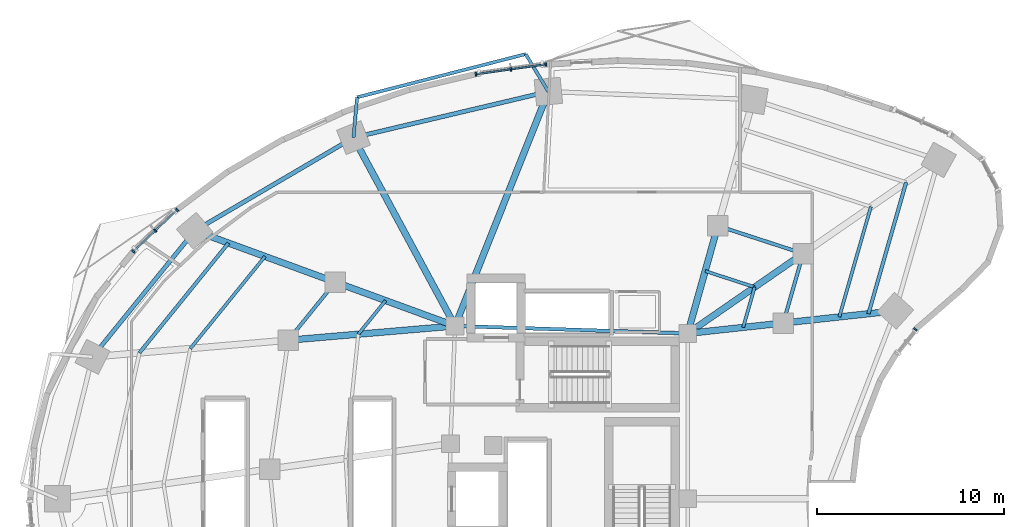
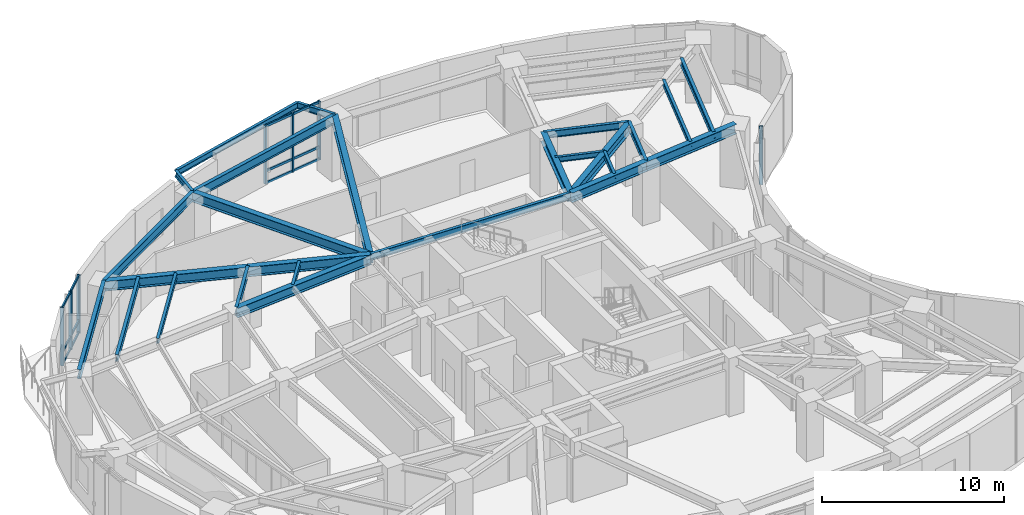
# One storey, part 5 of 14: 26 beams, 19 members, 3 elements without a shape of their own.
"""IFC4 building model written with IfcOpenShell, lengths in metres."""

import ifcopenshell
import ifcopenshell.guid

model = None  # the IFC model being written
_history = None  # IfcOwnerHistory: only IFC2X3 demands one
_inside = {}  # id of a spatial element -> (the spatial element, [elements in it])
_under = {}  # id of a project, library or spatial element -> (it, [spatial elements below it])
_declared = {}  # id of a project -> (the project, [libraries it declares])
_typed = {}  # id of a type object -> (the type object, [elements of that type])
_made_of = {}  # id of a material, layer set ... -> (it, [elements and type objects made of it])


def new_model(schema):
    """Start an empty IFC model of exactly this schema.

    Asked for "IFC4X3", IfcOpenShell would pick the latest addendum, in which some entities
    have other attributes; the version numbers below select the first issue.
    IFC2X3 requires an IfcOwnerHistory on every rooted entity: one is made here for all.
    """
    global model, _history
    if schema == "IFC4X3":
        model = ifcopenshell.file(schema_version=(4, 3, 0, 0))
    else:
        model = ifcopenshell.file(schema=schema)
    _inside.clear()
    _under.clear()
    _declared.clear()
    _typed.clear()
    _made_of.clear()
    _history = None
    if model.schema == "IFC2X3":
        org = make("IfcOrganization", Name="unknown")
        user = make(
            "IfcPersonAndOrganization",
            ThePerson=make("IfcPerson", FamilyName="unknown"),
            TheOrganization=org,
        )
        app = make(
            "IfcApplication",
            ApplicationDeveloper=org,
            Version="unknown",
            ApplicationFullName="unknown",
            ApplicationIdentifier="unknown",
        )
        _history = make(
            "IfcOwnerHistory",
            OwningUser=user,
            OwningApplication=app,
            ChangeAction="ADDED",
            CreationDate=0,
        )
    return model


def make(cls, **values):
    """One entity of the class cls with the attributes given. An attribute that is None is left unset."""
    return model.create_entity(
        cls, **{name: value for name, value in values.items() if value is not None}
    )


def rooted(cls, **values):
    """An entity with a GlobalId (a new one), such as an element, a storey or a relation."""
    return make(cls, GlobalId=ifcopenshell.guid.new(), OwnerHistory=_history, **values)


def si_unit(unit_type, name, prefix=None):
    """IfcSIUnit, for example si_unit("LENGTHUNIT", "METRE", prefix="MILLI")."""
    return make("IfcSIUnit", UnitType=unit_type, Prefix=prefix, Name=name)


def assignment(units):
    """IfcUnitAssignment: the units of a project."""
    return None if units is None else make("IfcUnitAssignment", Units=units)


def point(xyz):
    """IfcCartesianPoint."""
    return None if xyz is None else make("IfcCartesianPoint", Coordinates=xyz)


def direction(xyz):
    """IfcDirection."""
    return None if xyz is None else make("IfcDirection", DirectionRatios=xyz)


def frame(location, z_axis=None, x_axis=None):
    """IfcAxis2Placement3D, a coordinate frame: its origin and axes. An axis left out is left unset."""
    return make(
        "IfcAxis2Placement3D",
        Location=point(location),
        Axis=direction(z_axis),
        RefDirection=direction(x_axis),
    )


def frame_2d(location, x_axis=None):
    """IfcAxis2Placement2D, a coordinate frame in the plane: its origin and x axis."""
    return make(
        "IfcAxis2Placement2D", Location=point(location), RefDirection=direction(x_axis)
    )


def origin():
    """The frame at (0, 0, 0) with its axes left unset."""
    return frame((0.0, 0.0, 0.0))


def origin_2d():
    """The frame at (0, 0) in the plane with its x axis left unset."""
    return frame_2d((0.0, 0.0))


def place(relative_to, where):
    """IfcLocalPlacement: puts the frame where relative to a parent placement (None: the world)."""
    return make(
        "IfcLocalPlacement", PlacementRelTo=relative_to, RelativePlacement=where
    )


def context(
    kind, dimensions, precision=None, world=None, true_north=None, identifier=None
):
    """IfcGeometricRepresentationContext, for example the 3D "Model" context."""
    return make(
        "IfcGeometricRepresentationContext",
        ContextIdentifier=identifier,
        ContextType=kind,
        CoordinateSpaceDimension=dimensions,
        Precision=precision,
        WorldCoordinateSystem=world,
        TrueNorth=true_north,
    )


def subcontext(parent, identifier, kind, view, scale=None):
    """IfcGeometricRepresentationSubContext, for example "Body" below "Model"."""
    return make(
        "IfcGeometricRepresentationSubContext",
        ContextIdentifier=identifier,
        ContextType=kind,
        ParentContext=parent,
        TargetScale=scale,
        TargetView=view,
    )


def project(units=None, contexts=None):
    """IfcProject with its units and contexts."""
    return rooted(
        "IfcProject",
        Name="project",
        RepresentationContexts=contexts,
        UnitsInContext=assignment(units),
    )


def spatial(cls, under=None, at=None, **own):
    """A site, building, storey or space (cls), placed at a placement, below another one or the project."""
    s = rooted(cls, ObjectPlacement=at, **own)
    if under is not None:
        _under.setdefault(under.id(), (under, []))[1].append(s)
    return s


def profile(cls, at=None, kind="AREA", **sizes):
    """A parametric profile (cls). Its sizes go by their IFC names, for example OverallWidth=200.0."""
    return make(cls, ProfileType=kind, Position=at, **sizes)


def rectangle(**sizes):
    """IfcRectangleProfileDef."""
    return profile("IfcRectangleProfileDef", **sizes)


def i_section(**sizes):
    """IfcIShapeProfileDef."""
    return profile("IfcIShapeProfileDef", **sizes)


def extrude(swept, where, along, depth):
    """IfcExtrudedAreaSolid: the profile swept, set in the frame where, extruded along a direction by depth."""
    return make(
        "IfcExtrudedAreaSolid",
        SweptArea=swept,
        Position=where,
        ExtrudedDirection=direction(along),
        Depth=depth,
    )


def shape(context_of_items, identifier, shape_type, items):
    """IfcShapeRepresentation: the items that make up one representation, for example the "Body"."""
    return make(
        "IfcShapeRepresentation",
        ContextOfItems=context_of_items,
        RepresentationIdentifier=identifier,
        RepresentationType=shape_type,
        Items=items,
    )


def material(Name=None, Category=None):
    """IfcMaterial."""
    return make("IfcMaterial", Name=Name, Category=Category)


def layer(
    of_material, thickness, ventilated=None, Name=None, Category=None, Priority=None
):
    """IfcMaterialLayer: one layer of a wall or slab, of a material (None: an air gap)."""
    return make(
        "IfcMaterialLayer",
        Material=of_material,
        LayerThickness=thickness,
        IsVentilated=ventilated,
        Name=Name,
        Category=Category,
        Priority=Priority,
    )


def layer_set(layers, Name=None):
    """IfcMaterialLayerSet."""
    return make("IfcMaterialLayerSet", MaterialLayers=layers, LayerSetName=Name)


def material_profile(
    of_material, cross_section, Name=None, Category=None, Priority=None
):
    """IfcMaterialProfile: a cross section and its material."""
    return make(
        "IfcMaterialProfile",
        Name=Name,
        Material=of_material,
        Profile=cross_section,
        Priority=Priority,
        Category=Category,
    )


def profile_set(profiles, Name=None, composite=None):
    """IfcMaterialProfileSet."""
    return make(
        "IfcMaterialProfileSet",
        Name=Name,
        MaterialProfiles=profiles,
        CompositeProfile=composite,
    )


def made_of(thing, what):
    """Note that an element or type object is made of a material, layer set ...; save() writes the relation."""
    if what is not None:
        _made_of.setdefault(what.id(), (what, []))[1].append(thing)
    return thing


def type_object(cls, material=None, **own):
    """A type object (cls), such as IfcWallType, which elements share."""
    return made_of(rooted(cls, **own), material)


def element(
    cls,
    number,
    at=None,
    inside=None,
    cuts=None,
    type_object=None,
    material=None,
    context=None,
    identifier="Body",
    shape_type=None,
    held_by="IfcProductDefinitionShape",
    body=None,
    shapes=None,
    **own,
):
    """One element of the class cls, such as IfcWall. Its Tag is "e" and its number.

    at: its placement. inside: the storey or other place that contains it. cuts: it is an
    opening in that element (IfcRelVoidsElement). A single representation is given by context,
    identifier, shape_type and body (its items); several are given by shapes. held_by: the class
    of the entity that holds the representations. save() writes the other relations.
    """
    e = rooted(cls, Tag="e%d" % number, ObjectPlacement=at, **own)
    if body is not None:
        shapes = [shape(context, identifier, shape_type, body)]
    if shapes is not None:
        e.Representation = make(held_by, Representations=shapes)
    if inside is not None:
        _inside.setdefault(inside.id(), (inside, []))[1].append(e)
    if cuts is not None:
        rooted(
            "IfcRelVoidsElement", RelatingBuildingElement=cuts, RelatedOpeningElement=e
        )
    if type_object is not None:
        _typed.setdefault(type_object.id(), (type_object, []))[1].append(e)
    return made_of(e, material)


def aggregate(whole, parts):
    """IfcRelAggregates: a whole, such as a stair, and the parts it consists of."""
    return rooted("IfcRelAggregates", RelatingObject=whole, RelatedObjects=parts)


def save(model, path):
    """Write the relations noted so far, then the file.

    IfcRelAggregates (storeys below a building ...), IfcRelContainedInSpatialStructure (elements
    in a storey), IfcRelDefinesByType, IfcRelAssociatesMaterial and IfcRelDeclares: one each for
    every whole, place, type object, material and project.
    """
    for whole, parts in _under.values():
        aggregate(whole, parts)
    for where, things in _inside.values():
        rooted(
            "IfcRelContainedInSpatialStructure",
            RelatedElements=things,
            RelatingStructure=where,
        )
    for kind, things in _typed.values():
        rooted("IfcRelDefinesByType", RelatedObjects=things, RelatingType=kind)
    for what, things in _made_of.values():
        rooted("IfcRelAssociatesMaterial", RelatedObjects=things, RelatingMaterial=what)
    for by, libraries in _declared.values():
        rooted("IfcRelDeclares", RelatingContext=by, RelatedDefinitions=libraries)
    model.write(path)


model = new_model("IFC4")

# Units and contexts
model_context = context("Model", 3, precision=1e-05, world=origin(), true_north=direction((0.0, 1.0)))
body_context = subcontext(model_context, "Body", "Model", "MODEL_VIEW")
ifc_project = project(units=[si_unit("LENGTHUNIT", "METRE"), si_unit("AREAUNIT", "SQUARE_METRE"), si_unit("VOLUMEUNIT", "CUBIC_METRE"), si_unit("PLANEANGLEUNIT", "RADIAN"), si_unit("MASSUNIT", "GRAM", prefix="KILO")], contexts=[model_context])

# Site, building, storey
site_placement = place(None, origin())
site = spatial("IfcSite", under=ifc_project, at=site_placement, CompositionType="ELEMENT")
building_placement = place(site_placement, origin())
building = spatial("IfcBuilding", under=site, at=building_placement, Name="Korentha Bioscience Tower", CompositionType="ELEMENT")
storey_placement = place(building_placement, frame((0.0, 0.0, 63.60009765625)))
storey = spatial("IfcBuildingStorey", under=building, at=storey_placement, Name="L14", CompositionType="ELEMENT", Elevation=63.60009765625)

# Beams
ifc_material_1 = material(Name="Steel S355", Category="steel")
ifc_material_profile_1 = material_profile(ifc_material_1, i_section(OverallWidth=0.18994140625, OverallDepth=0.45703125, WebThickness=0.009033203125, FlangeThickness=0.014404296875, at=origin_2d()), Name="Steel S355")
ifc_profile_set_1 = profile_set([ifc_material_profile_1], Name="Steel S355 (MB-460)")
beam_type_1 = type_object("IfcBeamType", Name="Mid-Ring Tie Girder W460x74", PredefinedType="BEAM", material=ifc_profile_set_1)
beam_1_placement = place(storey_placement, frame((43.7265625, 40.121337890625, 3.67138671875), z_axis=(-0.950877001105, 0.309568940253, 0.0), x_axis=(-0.309568940253, -0.950877001105, 0.0)))
element("IfcBeam", 1, at=beam_1_placement, inside=storey, type_object=beam_type_1, Name="L14 Mid-Ring Tie Girder 01", PredefinedType="BEAM", context=body_context, shape_type="SweptSolid", body=[
    extrude(i_section(OverallWidth=0.18994140625, OverallDepth=0.45703125, WebThickness=0.009033203125, FlangeThickness=0.014404296875, at=origin_2d()), origin(), (0.0, 0.0, 1.0), 4.80126953125),
])
beam_2_placement = place(storey_placement, frame((18.692138671875, 38.5947265625, 3.67138671875), z_axis=(-0.629790009744, -0.776765436684, 0.0), x_axis=(0.776765436684, -0.629790009744, 0.0)))
element("IfcBeam", 2, at=beam_2_placement, inside=storey, type_object=beam_type_1, Name="L14 Mid-Ring Tie Girder 05", PredefinedType="BEAM", context=body_context, shape_type="SweptSolid", body=[
    extrude(i_section(OverallWidth=0.18994140625, OverallDepth=0.45703125, WebThickness=0.009033203125, FlangeThickness=0.014404296875, at=origin_2d()), origin(), (0.0, 0.0, 1.0), 3.998291015625),
])
beam_3_placement = place(storey_placement, frame((42.66162109375, 36.406982421875, 3.67138671875), z_axis=(0.27560557792, 0.961270807535, 0.0), x_axis=(-0.961270807535, 0.27560557792, 0.0)))
element("IfcBeam", 3, at=beam_3_placement, inside=storey, type_object=beam_type_1, Name="L14 Mid-Ring Tie Girder 16", PredefinedType="BEAM", context=body_context, shape_type="SweptSolid", body=[
    extrude(i_section(OverallWidth=0.18994140625, OverallDepth=0.45703125, WebThickness=0.009033203125, FlangeThickness=0.014404296875, at=origin_2d()), origin(), (0.0, 0.0, 1.0), 3.864013671875),
])
beam_4_placement = place(storey_placement, frame((37.550048828125, 35.85009765625, 3.67138671875), z_axis=(-0.999484526071, 0.032104238723, 0.0), x_axis=(-0.032104238723, -0.999484526071, 0.0)))
element("IfcBeam", 4, at=beam_4_placement, inside=storey, type_object=beam_type_1, Name="L14 Core Ring Tie Girder 01", PredefinedType="BEAM", context=body_context, shape_type="SweptSolid", body=[
    extrude(i_section(OverallWidth=0.18994140625, OverallDepth=0.45703125, WebThickness=0.009033203125, FlangeThickness=0.014404296875, at=origin_2d()), origin(), (0.0, 0.0, 1.0), 12.456298828125),
])

# Curtain wall, members
ifc_material_2 = material(Name="Thermally Broken Aluminium Frame", Category="aluminium")
ifc_layer = layer(ifc_material_2, 0.219970703125, Name="Thermally Broken Aluminium Frame")
ifc_layer_set = layer_set([ifc_layer], Name="Thermally Broken Aluminium Frame (CW-T2)")
curtain_wall_type = type_object("IfcCurtainWallType", Name="Solar-Screened Lab Unitised Curtain Wall CW-T2", PredefinedType="USERDEFINED", material=ifc_layer_set)
curtain_wall_1_placement = place(storey_placement, origin())
curtain_wall_1 = element("IfcCurtainWall", 5, at=curtain_wall_1_placement, inside=storey, type_object=curtain_wall_type, Name="L14 Curtain Wall 07", ObjectType="UNITISED", PredefinedType="USERDEFINED")
ifc_material_3 = material(Name="Anodised Aluminium 6063-T6", Category="aluminium")
ifc_material_profile_2 = material_profile(ifc_material_3, rectangle(XDim=0.090087890625, YDim=0.199951171875, at=origin_2d()), Name="Anodised Aluminium 6063-T6")
ifc_profile_set_2 = profile_set([ifc_material_profile_2], Name="Anodised Aluminium 6063-T6 (CW-MUL)")
member_type_1 = type_object("IfcMemberType", Name="Mullion RECT 90x200", PredefinedType="MULLION", material=ifc_profile_set_2)
member_1_placement = place(storey_placement, frame((29.95849609375, 50.247802734375, 0.0), z_axis=(0.0, 0.0, 1.0), x_axis=(-0.990167372968, -0.139887717511, 0.0)))
member_1 = element("IfcMember", 6, at=member_1_placement, type_object=member_type_1, Name="CW-L14-07 Mullion 1", PredefinedType="MULLION", context=body_context, shape_type="SweptSolid", body=[
    extrude(rectangle(XDim=0.090087890625, YDim=0.199951171875, at=origin_2d()), origin(), (0.0, 0.0, 1.0), 3.89990234375),
])
member_2_placement = place(storey_placement, frame((28.086669921875, 49.9833984375, 0.0), z_axis=(0.0, 0.0, 1.0), x_axis=(-0.990167372968, -0.139887717511, 0.0)))
member_2 = element("IfcMember", 7, at=member_2_placement, type_object=member_type_1, Name="CW-L14-07 Mullion 2", PredefinedType="MULLION", context=body_context, shape_type="SweptSolid", body=[
    extrude(rectangle(XDim=0.090087890625, YDim=0.199951171875, at=origin_2d()), origin(), (0.0, 0.0, 1.0), 3.89990234375),
])
member_3_placement = place(storey_placement, frame((26.214599609375, 49.718994140625, 0.0), z_axis=(0.0, 0.0, 1.0), x_axis=(-0.990167372968, -0.139887717511, 0.0)))
member_3 = element("IfcMember", 8, at=member_3_placement, type_object=member_type_1, Name="CW-L14-07 Mullion 3", PredefinedType="MULLION", context=body_context, shape_type="SweptSolid", body=[
    extrude(rectangle(XDim=0.090087890625, YDim=0.199951171875, at=origin_2d()), origin(), (0.0, 0.0, 1.0), 3.89990234375),
])

curtain_wall_2_placement = place(storey_placement, origin())
curtain_wall_2 = element("IfcCurtainWall", 9, at=curtain_wall_2_placement, inside=storey, type_object=curtain_wall_type, Name="L14 Curtain Wall 13", ObjectType="UNITISED", PredefinedType="USERDEFINED")
member_4_placement = place(storey_placement, frame((10.228759765625, 42.467041015625, 0.0), z_axis=(0.0, 0.0, 1.0), x_axis=(-0.723641761581, -0.690175775361, 0.0)))
member_4 = element("IfcMember", 10, at=member_4_placement, type_object=member_type_1, Name="CW-L14-13 Mullion 1", PredefinedType="MULLION", context=body_context, shape_type="SweptSolid", body=[
    extrude(rectangle(XDim=0.090087890625, YDim=0.199951171875, at=origin_2d()), origin(), (0.0, 0.0, 1.0), 3.89990234375),
])
member_5_placement = place(storey_placement, frame((9.05908203125, 41.3515625, 0.0), z_axis=(0.0, 0.0, 1.0), x_axis=(-0.723641761581, -0.690175775361, 0.0)))
member_5 = element("IfcMember", 11, at=member_5_placement, type_object=member_type_1, Name="CW-L14-13 Mullion 2", PredefinedType="MULLION", context=body_context, shape_type="SweptSolid", body=[
    extrude(rectangle(XDim=0.090087890625, YDim=0.199951171875, at=origin_2d()), origin(), (0.0, 0.0, 1.0), 3.89990234375),
])
member_6_placement = place(storey_placement, frame((7.889404296875, 40.236083984375, 0.0), z_axis=(0.0, 0.0, 1.0), x_axis=(-0.723641761581, -0.690175775361, 0.0)))
member_6 = element("IfcMember", 12, at=member_6_placement, type_object=member_type_1, Name="CW-L14-13 Mullion 3", PredefinedType="MULLION", context=body_context, shape_type="SweptSolid", body=[
    extrude(rectangle(XDim=0.090087890625, YDim=0.199951171875, at=origin_2d()), origin(), (0.0, 0.0, 1.0), 3.89990234375),
])

# Curtain wall, member
curtain_wall_3_placement = place(storey_placement, origin())
curtain_wall_3 = element("IfcCurtainWall", 13, at=curtain_wall_3_placement, inside=storey, type_object=curtain_wall_type, Name="L14 Curtain Wall 55", ObjectType="UNITISED", PredefinedType="USERDEFINED")
member_7_placement = place(storey_placement, frame((49.73291015625, 36.072021484375, 0.0), z_axis=(0.0, 0.0, 1.0), x_axis=(0.622520324648, 0.782603632371, 0.0)))
member_7 = element("IfcMember", 14, at=member_7_placement, type_object=member_type_1, Name="CW-L14-55 Mullion 2", PredefinedType="MULLION", context=body_context, shape_type="SweptSolid", body=[
    extrude(rectangle(XDim=0.090087890625, YDim=0.199951171875, at=origin_2d()), origin(), (0.0, 0.0, 1.0), 3.89990234375),
])
aggregate(curtain_wall_3, [member_7])

# Beams
ifc_material_profile_3 = material_profile(ifc_material_1, i_section(OverallWidth=0.22802734375, OverallDepth=0.60791015625, WebThickness=0.01123046875, FlangeThickness=0.017333984375, at=origin_2d()), Name="Steel S355")
ifc_profile_set_3 = profile_set([ifc_material_profile_3], Name="Steel S355 (SB-610)")
beam_type_2 = type_object("IfcBeamType", Name="Perimeter Ring Spandrel Girder W610x113", PredefinedType="SPANDREL", material=ifc_profile_set_3)
beam_5_placement = place(storey_placement, frame((30.09423828125, 48.79248046875, 3.595947265625), z_axis=(-0.973207885376, -0.229926970672, 0.0), x_axis=(0.229926970672, -0.973207885376, 0.0)))
element("IfcBeam", 15, at=beam_5_placement, inside=storey, type_object=beam_type_2, Name="L14 Perimeter Spandrel Girder 03", PredefinedType="SPANDREL", context=body_context, shape_type="SweptSolid", body=[
    extrude(i_section(OverallWidth=0.22802734375, OverallDepth=0.60791015625, WebThickness=0.01123046875, FlangeThickness=0.017333984375, at=origin_2d()), origin(), (0.0, 0.0, 1.0), 10.71484375),
])
beam_6_placement = place(storey_placement, frame((19.66650390625, 46.328857421875, 3.595947265625), z_axis=(-0.862656574181, -0.505790109653, 0.0), x_axis=(0.505790109653, -0.862656574181, 0.0)))
element("IfcBeam", 16, at=beam_6_placement, inside=storey, type_object=beam_type_2, Name="L14 Perimeter Spandrel Girder 04", PredefinedType="SPANDREL", context=body_context, shape_type="SweptSolid", body=[
    extrude(i_section(OverallWidth=0.22802734375, OverallDepth=0.60791015625, WebThickness=0.01123046875, FlangeThickness=0.017333984375, at=origin_2d()), origin(), (0.0, 0.0, 1.0), 9.849365234375),
])
beam_7_placement = place(storey_placement, frame((11.169921875, 41.34716796875, 3.595947265625), z_axis=(-0.629799210231, -0.776757976974, 0.0), x_axis=(0.776757976974, -0.629799210231, 0.0)))
element("IfcBeam", 17, at=beam_7_placement, inside=storey, type_object=beam_type_2, Name="L14 Perimeter Spandrel Girder 05", PredefinedType="SPANDREL", context=body_context, shape_type="SweptSolid", body=[
    extrude(i_section(OverallWidth=0.22802734375, OverallDepth=0.60791015625, WebThickness=0.01123046875, FlangeThickness=0.017333984375, at=origin_2d()), origin(), (0.0, 0.0, 1.0), 8.69189453125),
])
ifc_material_profile_4 = material_profile(ifc_material_1, i_section(OverallWidth=0.18994140625, OverallDepth=0.45703125, WebThickness=0.009033203125, FlangeThickness=0.014404296875, at=origin_2d()), Name="Steel S355")
ifc_profile_set_4 = profile_set([ifc_material_profile_4], Name="Steel S355 (RB-460)")
beam_type_3 = type_object("IfcBeamType", Name="Radial Laboratory Beam W460x74", PredefinedType="BEAM", material=ifc_profile_set_4)
beam_8_placement = place(storey_placement, frame((12.97509765625, 40.6865234375, 3.67138671875), z_axis=(-0.629797748553, -0.776759162107, 0.0), x_axis=(0.776759162107, -0.629797748553, 0.0)))
element("IfcBeam", 18, at=beam_8_placement, inside=storey, type_object=beam_type_3, Name="L14 Secondary Floor Beam JSTO-05", PredefinedType="BEAM", context=body_context, shape_type="SweptSolid", body=[
    extrude(i_section(OverallWidth=0.18994140625, OverallDepth=0.45703125, WebThickness=0.009033203125, FlangeThickness=0.014404296875, at=origin_2d()), origin(), (0.0, 0.0, 1.0), 7.5654296875),
])
beam_9_placement = place(storey_placement, frame((47.2216796875, 36.90380859375, 3.67138671875), z_axis=(0.275682421415, 0.961248772443, 0.0), x_axis=(-0.961248772443, 0.275682421415, 0.0)))
element("IfcBeam", 19, at=beam_9_placement, inside=storey, type_object=beam_type_3, Name="L14 Secondary Floor Beam JSTO-16", PredefinedType="BEAM", context=body_context, shape_type="SweptSolid", body=[
    extrude(i_section(OverallWidth=0.18994140625, OverallDepth=0.45703125, WebThickness=0.009033203125, FlangeThickness=0.014404296875, at=origin_2d()), origin(), (0.0, 0.0, 1.0), 7.3115234375),
])
ifc_material_profile_5 = material_profile(ifc_material_1, i_section(OverallWidth=0.35009765625, OverallDepth=0.64990234375, WebThickness=0.01611328125, FlangeThickness=0.02490234375, at=origin_2d()), Name="Steel S355")
ifc_profile_set_5 = profile_set([ifc_material_profile_5], Name="Steel S355 (RB-650)")
beam_type_4 = type_object("IfcBeamType", Name="Radial Laboratory Girder CVS 650x208", PredefinedType="BEAM", material=ifc_profile_set_5)
beam_10_placement = place(storey_placement, frame((37.550048828125, 35.85009765625, 3.574951171875), z_axis=(0.822491697625, 0.568777115694, 0.0), x_axis=(-0.568777115694, 0.822491697625, 0.0)))
element("IfcBeam", 20, at=beam_10_placement, inside=storey, type_object=beam_type_4, Name="L14 Inner Radial Girder 01", PredefinedType="BEAM", context=body_context, shape_type="SweptSolid", body=[
    extrude(i_section(OverallWidth=0.35009765625, OverallDepth=0.64990234375, WebThickness=0.01611328125, FlangeThickness=0.02490234375, at=origin_2d()), origin(), (0.0, 0.0, 1.0), 7.509521484375),
])
beam_11_placement = place(storey_placement, frame((37.550048828125, 35.85009765625, 3.574951171875), z_axis=(0.269469369205, 0.963008961049, 0.0), x_axis=(-0.963008961049, 0.269469369205, 0.0)))
element("IfcBeam", 21, at=beam_11_placement, inside=storey, type_object=beam_type_4, Name="L14 Inner Radial Girder 02", PredefinedType="BEAM", context=body_context, shape_type="SweptSolid", body=[
    extrude(i_section(OverallWidth=0.35009765625, OverallDepth=0.64990234375, WebThickness=0.01611328125, FlangeThickness=0.02490234375, at=origin_2d()), origin(), (0.0, 0.0, 1.0), 5.978759765625),
])
beam_12_placement = place(storey_placement, frame((25.10009765625, 36.25, 3.574951171875), z_axis=(0.369931007413, 0.929059228335, 0.0), x_axis=(-0.929059228335, 0.369931007413, 0.0)))
element("IfcBeam", 22, at=beam_12_placement, inside=storey, type_object=beam_type_4, Name="L14 Radial Girder 03", PredefinedType="BEAM", context=body_context, shape_type="SweptSolid", body=[
    extrude(i_section(OverallWidth=0.35009765625, OverallDepth=0.64990234375, WebThickness=0.01611328125, FlangeThickness=0.02490234375, at=origin_2d()), origin(), (0.0, 0.0, 1.0), 13.500244140625),
])
beam_13_placement = place(storey_placement, frame((25.10009765625, 36.25, 3.574951171875), z_axis=(-0.47454097106, 0.880233416081, 0.0), x_axis=(-0.880233416081, -0.47454097106, 0.0)))
element("IfcBeam", 23, at=beam_13_placement, inside=storey, type_object=beam_type_4, Name="L14 Radial Girder 04", PredefinedType="BEAM", context=body_context, shape_type="SweptSolid", body=[
    extrude(i_section(OverallWidth=0.35009765625, OverallDepth=0.64990234375, WebThickness=0.01611328125, FlangeThickness=0.02490234375, at=origin_2d()), origin(), (0.0, 0.0, 1.0), 11.4501953125),
])
beam_14_placement = place(storey_placement, frame((25.10009765625, 36.25, 3.574951171875), z_axis=(-0.939106237741, 0.343626940498, 0.0), x_axis=(-0.343626940498, -0.939106237741, 0.0)))
element("IfcBeam", 24, at=beam_14_placement, inside=storey, type_object=beam_type_4, Name="L14 Inner Radial Girder 05", PredefinedType="BEAM", context=body_context, shape_type="SweptSolid", body=[
    extrude(i_section(OverallWidth=0.35009765625, OverallDepth=0.64990234375, WebThickness=0.01611328125, FlangeThickness=0.02490234375, at=origin_2d()), origin(), (0.0, 0.0, 1.0), 6.823486328125),
])
beam_15_placement = place(storey_placement, frame((18.692138671875, 38.5947265625, 3.574951171875), z_axis=(-0.939106299948, 0.343626770491, 0.0), x_axis=(-0.343626770491, -0.939106299948, 0.0)))
element("IfcBeam", 25, at=beam_15_placement, inside=storey, type_object=beam_type_4, Name="L14 Outer Radial Girder 05", PredefinedType="BEAM", context=body_context, shape_type="SweptSolid", body=[
    extrude(i_section(OverallWidth=0.35009765625, OverallDepth=0.64990234375, WebThickness=0.01611328125, FlangeThickness=0.02490234375, at=origin_2d()), origin(), (0.0, 0.0, 1.0), 8.010009765625),
])
beam_16_placement = place(storey_placement, frame((25.10009765625, 36.25, 3.574951171875), z_axis=(-0.996385503026, -0.08494662654, 0.0), x_axis=(0.08494662654, -0.996385503026, 0.0)))
element("IfcBeam", 26, at=beam_16_placement, inside=storey, type_object=beam_type_4, Name="L14 Inner Radial Girder 06", PredefinedType="BEAM", context=body_context, shape_type="SweptSolid", body=[
    extrude(i_section(OverallWidth=0.35009765625, OverallDepth=0.64990234375, WebThickness=0.01611328125, FlangeThickness=0.02490234375, at=origin_2d()), origin(), (0.0, 0.0, 1.0), 8.95849609375),
])
beam_17_placement = place(storey_placement, frame((37.550048828125, 35.85009765625, 3.574951171875), z_axis=(0.994117709144, 0.10830503389, 0.0), x_axis=(-0.10830503389, 0.994117709144, 0.0)))
element("IfcBeam", 27, at=beam_17_placement, inside=storey, type_object=beam_type_4, Name="L14 Inner Radial Girder 16", PredefinedType="BEAM", context=body_context, shape_type="SweptSolid", body=[
    extrude(i_section(OverallWidth=0.35009765625, OverallDepth=0.64990234375, WebThickness=0.01611328125, FlangeThickness=0.02490234375, at=origin_2d()), origin(), (0.0, 0.0, 1.0), 5.141845703125),
])
beam_18_placement = place(storey_placement, frame((42.66162109375, 36.406982421875, 3.574951171875), z_axis=(0.994115805925, 0.108322501862, 0.0), x_axis=(-0.108322501862, 0.994115805925, 0.0)))
element("IfcBeam", 28, at=beam_18_placement, inside=storey, type_object=beam_type_4, Name="L14 Outer Radial Girder 16", PredefinedType="BEAM", context=body_context, shape_type="SweptSolid", body=[
    extrude(i_section(OverallWidth=0.35009765625, OverallDepth=0.64990234375, WebThickness=0.01611328125, FlangeThickness=0.02490234375, at=origin_2d()), origin(), (0.0, 0.0, 1.0), 6.03564453125),
])
ifc_material_profile_6 = material_profile(ifc_material_1, i_section(OverallWidth=0.1708984375, OverallDepth=0.35498046875, WebThickness=0.007080078125, FlangeThickness=0.01171875, at=origin_2d()), Name="Steel S355")
ifc_profile_set_6 = profile_set([ifc_material_profile_6], Name="Steel S355 (JB-360)")
beam_type_5 = type_object("IfcBeamType", Name="Secondary Laboratory Joist W360x51", PredefinedType="JOIST", material=ifc_profile_set_6)
beam_19_placement = place(storey_placement, frame((41.13232421875, 38.327392578125, 3.722412109375), z_axis=(-0.950869630746, 0.309591578254, 0.0), x_axis=(-0.309591578254, -0.950869630746, 0.0)))
element("IfcBeam", 29, at=beam_19_placement, inside=storey, type_object=beam_type_5, Name="L14 Inner Bay Joist 01", PredefinedType="JOIST", context=body_context, shape_type="SweptSolid", body=[
    extrude(i_section(OverallWidth=0.1708984375, OverallDepth=0.35498046875, WebThickness=0.007080078125, FlangeThickness=0.01171875, at=origin_2d()), origin(), (0.0, 0.0, 1.0), 2.784423828125),
])
beam_20_placement = place(storey_placement, frame((14.930908203125, 39.970947265625, 3.722412109375), z_axis=(-0.629786899984, -0.776767958021, 0.0), x_axis=(0.776767958021, -0.629786899984, 0.0)))
element("IfcBeam", 30, at=beam_20_placement, inside=storey, type_object=beam_type_5, Name="L14 Secondary Floor Beam JST-05", PredefinedType="JOIST", context=body_context, shape_type="SweptSolid", body=[
    extrude(i_section(OverallWidth=0.1708984375, OverallDepth=0.35498046875, WebThickness=0.007080078125, FlangeThickness=0.01171875, at=origin_2d()), origin(), (0.0, 0.0, 1.0), 6.34521484375),
])
beam_21_placement = place(storey_placement, frame((21.38330078125, 37.60986328125, 3.722412109375), z_axis=(-0.629791657613, -0.776764100613, 0.0), x_axis=(0.776764100613, -0.629791657613, 0.0)))
element("IfcBeam", 31, at=beam_21_placement, inside=storey, type_object=beam_type_5, Name="L14 Inner Bay Joist 05", PredefinedType="JOIST", context=body_context, shape_type="SweptSolid", body=[
    extrude(i_section(OverallWidth=0.1708984375, OverallDepth=0.35498046875, WebThickness=0.007080078125, FlangeThickness=0.01171875, at=origin_2d()), origin(), (0.0, 0.0, 1.0), 2.31884765625),
])
beam_22_placement = place(storey_placement, frame((45.66162109375, 36.73388671875, 3.722412109375), z_axis=(0.275667500387, 0.96125305161, 0.0), x_axis=(-0.96125305161, 0.275667500387, 0.0)))
element("IfcBeam", 32, at=beam_22_placement, inside=storey, type_object=beam_type_5, Name="L14 Secondary Floor Beam JST-16", PredefinedType="JOIST", context=body_context, shape_type="SweptSolid", body=[
    extrude(i_section(OverallWidth=0.1708984375, OverallDepth=0.35498046875, WebThickness=0.007080078125, FlangeThickness=0.01171875, at=origin_2d()), origin(), (0.0, 0.0, 1.0), 6.132080078125),
])
beam_23_placement = place(storey_placement, frame((40.5146484375, 36.173095703125, 3.722412109375), z_axis=(0.275613067773, 0.961268660091, 0.0), x_axis=(-0.961268660091, 0.275613067773, 0.0)))
element("IfcBeam", 33, at=beam_23_placement, inside=storey, type_object=beam_type_5, Name="L14 Inner Bay Joist 16", PredefinedType="JOIST", context=body_context, shape_type="SweptSolid", body=[
    extrude(i_section(OverallWidth=0.1708984375, OverallDepth=0.35498046875, WebThickness=0.007080078125, FlangeThickness=0.01171875, at=origin_2d()), origin(), (0.0, 0.0, 1.0), 2.2412109375),
])
ifc_material_profile_7 = material_profile(ifc_material_1, i_section(OverallWidth=0.177978515625, OverallDepth=0.406982421875, WebThickness=0.0078125, FlangeThickness=0.0126953125, at=origin_2d()), Name="Steel S355")
ifc_profile_set_7 = profile_set([ifc_material_profile_7], Name="Steel S355 (CB-410)")
beam_type_6 = type_object("IfcBeamType", Name="Sun-Ledge Cantilever Beam W410x60", PredefinedType="BEAM", material=ifc_profile_set_7)
beam_24_placement = place(storey_placement, frame((30.09423828125, 48.79248046875, 3.698486328125), z_axis=(-0.51833402313, 0.855178250697, 0.0), x_axis=(-0.855178250697, -0.51833402313, 0.0)))
element("IfcBeam", 34, at=beam_24_placement, inside=storey, type_object=beam_type_6, Name="L14 Balcony Cantilever Bracket A-L15-01", PredefinedType="BEAM", context=body_context, shape_type="SweptSolid", body=[
    extrude(i_section(OverallWidth=0.177978515625, OverallDepth=0.406982421875, WebThickness=0.0078125, FlangeThickness=0.0126953125, at=origin_2d()), origin(), (0.0, 0.0, 1.0), 2.3447265625),
])
beam_25_placement = place(storey_placement, frame((19.66650390625, 46.328857421875, 3.698486328125), z_axis=(0.087637055072, 0.996152471552, 0.0), x_axis=(-0.996152471552, 0.087637055072, 0.0)))
element("IfcBeam", 35, at=beam_25_placement, inside=storey, type_object=beam_type_6, Name="L14 Balcony Cantilever Bracket B-L15-01", PredefinedType="BEAM", context=body_context, shape_type="SweptSolid", body=[
    extrude(i_section(OverallWidth=0.177978515625, OverallDepth=0.406982421875, WebThickness=0.0078125, FlangeThickness=0.0126953125, at=origin_2d()), origin(), (0.0, 0.0, 1.0), 2.16455078125),
])
beam_26_placement = place(storey_placement, frame((28.87890625, 50.797607421875, 3.698486328125), z_axis=(-0.968690055761, -0.24827318798, 0.0), x_axis=(0.24827318798, -0.968690055761, 0.0)))
element("IfcBeam", 36, at=beam_26_placement, inside=storey, type_object=beam_type_6, Name="L14 Balcony Edge Trimmer Beam L15-01", PredefinedType="BEAM", context=body_context, shape_type="SweptSolid", body=[
    extrude(i_section(OverallWidth=0.177978515625, OverallDepth=0.406982421875, WebThickness=0.0078125, FlangeThickness=0.0126953125, at=origin_2d()), origin(), (0.0, 0.0, 1.0), 9.314453125),
])

# Member
ifc_material_profile_8 = material_profile(ifc_material_3, rectangle(XDim=0.090087890625, YDim=0.159912109375, at=origin_2d()), Name="Anodised Aluminium 6063-T6")
ifc_profile_set_8 = profile_set([ifc_material_profile_8], Name="Anodised Aluminium 6063-T6 (CW-TRN)")
member_type_2 = type_object("IfcMemberType", Name="Transom RECT 90x160", PredefinedType="USERDEFINED", material=ifc_profile_set_8)
member_8_placement = place(storey_placement, frame((29.913818359375, 50.24169921875, 0.044921875), z_axis=(-0.990159924061, -0.139940432982, 0.0), x_axis=(0.139940432982, -0.990159924061, 0.0)))
member_8 = element("IfcMember", 37, at=member_8_placement, type_object=member_type_2, Name="CW-L14-07 Bay 1 Transom 1", ObjectType="TRANSOM", PredefinedType="USERDEFINED", context=body_context, shape_type="SweptSolid", body=[
    extrude(rectangle(XDim=0.090087890625, YDim=0.159912109375, at=origin_2d()), origin(), (0.0, 0.0, 1.0), 1.800537109375),
])

member_9_placement = place(storey_placement, frame((29.913818359375, 50.24169921875, 0.849853515625), z_axis=(-0.990159924061, -0.139940432982, 0.0), x_axis=(0.139940432982, -0.990159924061, 0.0)))
member_9 = element("IfcMember", 38, at=member_9_placement, type_object=member_type_2, Name="CW-L14-07 Bay 1 Transom 2", ObjectType="TRANSOM", PredefinedType="USERDEFINED", context=body_context, shape_type="SweptSolid", body=[
    extrude(rectangle(XDim=0.090087890625, YDim=0.159912109375, at=origin_2d()), origin(), (0.0, 0.0, 1.0), 1.800537109375),
])

member_10_placement = place(storey_placement, frame((29.913818359375, 50.24169921875, 3.85498046875), z_axis=(-0.990159924061, -0.139940432982, 0.0), x_axis=(0.139940432982, -0.990159924061, 0.0)))
member_10 = element("IfcMember", 39, at=member_10_placement, type_object=member_type_2, Name="CW-L14-07 Bay 1 Transom 3", ObjectType="TRANSOM", PredefinedType="USERDEFINED", context=body_context, shape_type="SweptSolid", body=[
    extrude(rectangle(XDim=0.090087890625, YDim=0.159912109375, at=origin_2d()), origin(), (0.0, 0.0, 1.0), 1.800537109375),
])

member_11_placement = place(storey_placement, frame((28.0419921875, 49.977294921875, 0.044921875), z_axis=(-0.990159924061, -0.139940432982, 0.0), x_axis=(0.139940432982, -0.990159924061, 0.0)))
member_11 = element("IfcMember", 40, at=member_11_placement, type_object=member_type_2, Name="CW-L14-07 Bay 2 Transom 1", ObjectType="TRANSOM", PredefinedType="USERDEFINED", context=body_context, shape_type="SweptSolid", body=[
    extrude(rectangle(XDim=0.090087890625, YDim=0.159912109375, at=origin_2d()), origin(), (0.0, 0.0, 1.0), 1.800537109375),
])

member_12_placement = place(storey_placement, frame((28.0419921875, 49.977294921875, 0.849853515625), z_axis=(-0.990159924061, -0.139940432982, 0.0), x_axis=(0.139940432982, -0.990159924061, 0.0)))
member_12 = element("IfcMember", 41, at=member_12_placement, type_object=member_type_2, Name="CW-L14-07 Bay 2 Transom 2", ObjectType="TRANSOM", PredefinedType="USERDEFINED", context=body_context, shape_type="SweptSolid", body=[
    extrude(rectangle(XDim=0.090087890625, YDim=0.159912109375, at=origin_2d()), origin(), (0.0, 0.0, 1.0), 1.800537109375),
])

member_13_placement = place(storey_placement, frame((28.0419921875, 49.977294921875, 3.85498046875), z_axis=(-0.990159924061, -0.139940432982, 0.0), x_axis=(0.139940432982, -0.990159924061, 0.0)))
member_13 = element("IfcMember", 42, at=member_13_placement, type_object=member_type_2, Name="CW-L14-07 Bay 2 Transom 3", ObjectType="TRANSOM", PredefinedType="USERDEFINED", context=body_context, shape_type="SweptSolid", body=[
    extrude(rectangle(XDim=0.090087890625, YDim=0.159912109375, at=origin_2d()), origin(), (0.0, 0.0, 1.0), 1.800537109375),
])

aggregate(curtain_wall_1, [member_1, member_2, member_3, member_8, member_9, member_10, member_11, member_12, member_13])

member_14_placement = place(storey_placement, frame((10.1962890625, 42.43603515625, 0.044921875), z_axis=(-0.72370039216, -0.690114296612, 0.0), x_axis=(0.690114296612, -0.72370039216, 0.0)))
member_14 = element("IfcMember", 43, at=member_14_placement, type_object=member_type_2, Name="CW-L14-13 Bay 1 Transom 1", ObjectType="TRANSOM", PredefinedType="USERDEFINED", context=body_context, shape_type="SweptSolid", body=[
    extrude(rectangle(XDim=0.090087890625, YDim=0.159912109375, at=origin_2d()), origin(), (0.0, 0.0, 1.0), 1.526611328125),
])

member_15_placement = place(storey_placement, frame((10.1962890625, 42.43603515625, 0.849853515625), z_axis=(-0.72370039216, -0.690114296612, 0.0), x_axis=(0.690114296612, -0.72370039216, 0.0)))
member_15 = element("IfcMember", 44, at=member_15_placement, type_object=member_type_2, Name="CW-L14-13 Bay 1 Transom 2", ObjectType="TRANSOM", PredefinedType="USERDEFINED", context=body_context, shape_type="SweptSolid", body=[
    extrude(rectangle(XDim=0.090087890625, YDim=0.159912109375, at=origin_2d()), origin(), (0.0, 0.0, 1.0), 1.526611328125),
])

member_16_placement = place(storey_placement, frame((10.1962890625, 42.43603515625, 3.85498046875), z_axis=(-0.72370039216, -0.690114296612, 0.0), x_axis=(0.690114296612, -0.72370039216, 0.0)))
member_16 = element("IfcMember", 45, at=member_16_placement, type_object=member_type_2, Name="CW-L14-13 Bay 1 Transom 3", ObjectType="TRANSOM", PredefinedType="USERDEFINED", context=body_context, shape_type="SweptSolid", body=[
    extrude(rectangle(XDim=0.090087890625, YDim=0.159912109375, at=origin_2d()), origin(), (0.0, 0.0, 1.0), 1.526611328125),
])

member_17_placement = place(storey_placement, frame((9.026611328125, 41.320556640625, 0.044921875), z_axis=(-0.72370039216, -0.690114296612, 0.0), x_axis=(0.690114296612, -0.72370039216, 0.0)))
member_17 = element("IfcMember", 46, at=member_17_placement, type_object=member_type_2, Name="CW-L14-13 Bay 2 Transom 1", ObjectType="TRANSOM", PredefinedType="USERDEFINED", context=body_context, shape_type="SweptSolid", body=[
    extrude(rectangle(XDim=0.090087890625, YDim=0.159912109375, at=origin_2d()), origin(), (0.0, 0.0, 1.0), 1.526611328125),
])

member_18_placement = place(storey_placement, frame((9.026611328125, 41.320556640625, 0.849853515625), z_axis=(-0.72370039216, -0.690114296612, 0.0), x_axis=(0.690114296612, -0.72370039216, 0.0)))
member_18 = element("IfcMember", 47, at=member_18_placement, type_object=member_type_2, Name="CW-L14-13 Bay 2 Transom 2", ObjectType="TRANSOM", PredefinedType="USERDEFINED", context=body_context, shape_type="SweptSolid", body=[
    extrude(rectangle(XDim=0.090087890625, YDim=0.159912109375, at=origin_2d()), origin(), (0.0, 0.0, 1.0), 1.526611328125),
])

member_19_placement = place(storey_placement, frame((9.026611328125, 41.320556640625, 3.85498046875), z_axis=(-0.72370039216, -0.690114296612, 0.0), x_axis=(0.690114296612, -0.72370039216, 0.0)))
member_19 = element("IfcMember", 48, at=member_19_placement, type_object=member_type_2, Name="CW-L14-13 Bay 2 Transom 3", ObjectType="TRANSOM", PredefinedType="USERDEFINED", context=body_context, shape_type="SweptSolid", body=[
    extrude(rectangle(XDim=0.090087890625, YDim=0.159912109375, at=origin_2d()), origin(), (0.0, 0.0, 1.0), 1.526611328125),
])

aggregate(curtain_wall_2, [member_4, member_5, member_6, member_14, member_15, member_16, member_17, member_18, member_19])

save(model, "model.ifc")
